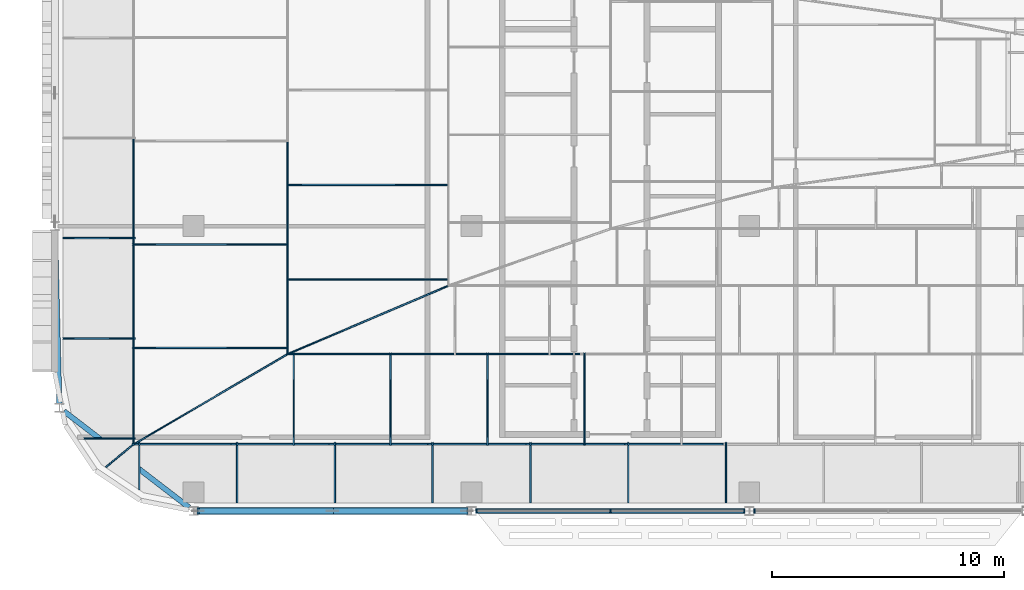
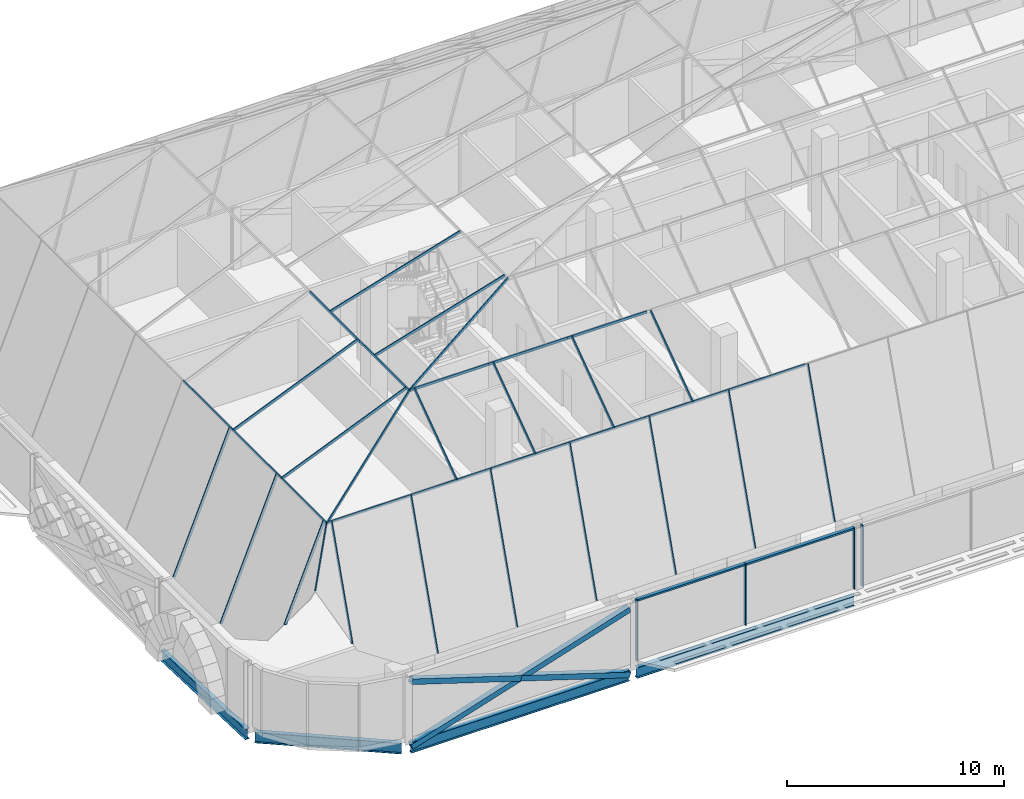
# One storey, part 5 of 39: 44 members, 4 beams, 8 elements without a shape of their own.
"""IFC4 building model written with IfcOpenShell, lengths in metres."""

from ifc_helpers import new_model, si_unit, direction, frame, origin, origin_2d, place, context, subcontext, project, spatial, rectangle, hollow_rectangle, i_section, extrude, material, material_profile, profile_set, type_object, element, aggregate, save


model = new_model("IFC4")

# Units and contexts
model_context = context("Model", 3, precision=1e-05, world=origin(), true_north=direction((0.0, 1.0)))
body_context = subcontext(model_context, "Body", "Model", "MODEL_VIEW")
ifc_project = project(units=[si_unit("LENGTHUNIT", "METRE"), si_unit("AREAUNIT", "SQUARE_METRE"), si_unit("VOLUMEUNIT", "CUBIC_METRE"), si_unit("PLANEANGLEUNIT", "RADIAN"), si_unit("MASSUNIT", "GRAM", prefix="KILO")], contexts=[model_context])

# Site, building, storey
site_placement = place(None, origin())
site = spatial("IfcSite", under=ifc_project, at=site_placement, CompositionType="ELEMENT")
building_placement = place(site_placement, origin())
building = spatial("IfcBuilding", under=site, at=building_placement, Name="Mahtab Terrace Research Tower", CompositionType="ELEMENT")
storey_placement = place(building_placement, frame((0.0, 0.0, 282.300048828125)))
storey = spatial("IfcBuildingStorey", under=building, at=storey_placement, Name="L69", CompositionType="ELEMENT", Elevation=282.300048828125)

# Curtain wall, members
ifc_material_1 = material(Name="Crown faceted glass roof")
curtain_wall_type_1 = type_object("IfcCurtainWallType", Name="Crown faceted glass roof", PredefinedType="NOTDEFINED", material=ifc_material_1)
curtain_wall_1_placement = place(storey_placement, origin())
curtain_wall_1 = element("IfcCurtainWall", 1, at=curtain_wall_1_placement, inside=storey, type_object=curtain_wall_type_1, Name="CROWN.S0", PredefinedType="NOTDEFINED")
ifc_material_2 = material(Name="Natural anodised aluminium", Category="aluminium")
ifc_material_profile_1 = material_profile(ifc_material_2, rectangle(XDim=0.06005859375, YDim=0.139892578125, at=origin_2d()), Name="MULLION 60x140")
ifc_profile_set_1 = profile_set([ifc_material_profile_1], Name="Natural anodised aluminium")
member_type_1 = type_object("IfcMemberType", Name="Crown faceted glass roof mullion", PredefinedType="MULLION", material=ifc_profile_set_1)
member_1_placement = place(storey_placement, frame((-44.34814453125, -11.327880859375, 5.45703125), z_axis=(0.0, 0.317623526494, 0.948216903149), x_axis=(-1.0, 0.0, 0.0)))
member_1 = element("IfcMember", 2, at=member_1_placement, type_object=member_type_1, Name="CWC-S1 mullion 1", PredefinedType="MULLION", context=body_context, shape_type="SweptSolid", body=[
    extrude(rectangle(XDim=0.06005859375, YDim=0.139892578125, at=origin_2d()), origin(), (0.0, 0.0, 1.0), 6.033203125),
])
member_2_placement = place(storey_placement, frame((-40.12451171875, -11.890625, 3.77783203125), z_axis=(0.0, 0.317653941865, 0.948206714392), x_axis=(-1.0, 0.0, 0.0)))
member_2 = element("IfcMember", 3, at=member_2_placement, type_object=member_type_1, Name="CWC-S1 mullion 2", PredefinedType="MULLION", context=body_context, shape_type="SweptSolid", body=[
    extrude(rectangle(XDim=0.06005859375, YDim=0.139892578125, at=origin_2d()), origin(), (0.0, 0.0, 1.0), 7.80419921875),
])
member_3_placement = place(storey_placement, frame((-35.90087890625, -11.890625, 3.77783203125), z_axis=(0.0, 0.317653941865, 0.948206714392), x_axis=(-1.0, 0.0, 0.0)))
member_3 = element("IfcMember", 4, at=member_3_placement, type_object=member_type_1, Name="CWC-S1 mullion 3", PredefinedType="MULLION", context=body_context, shape_type="SweptSolid", body=[
    extrude(rectangle(XDim=0.06005859375, YDim=0.139892578125, at=origin_2d()), origin(), (0.0, 0.0, 1.0), 7.80419921875),
])
member_4_placement = place(storey_placement, frame((-31.67724609375, -11.890625, 3.77783203125), z_axis=(0.0, 0.317653941865, 0.948206714392), x_axis=(-1.0, 0.0, 0.0)))
member_4 = element("IfcMember", 5, at=member_4_placement, type_object=member_type_1, Name="CWC-S1 mullion 4", PredefinedType="MULLION", context=body_context, shape_type="SweptSolid", body=[
    extrude(rectangle(XDim=0.06005859375, YDim=0.139892578125, at=origin_2d()), origin(), (0.0, 0.0, 1.0), 7.80419921875),
])
member_5_placement = place(storey_placement, frame((-27.45361328125, -11.890625, 3.77783203125), z_axis=(0.0, 0.317653941865, 0.948206714392), x_axis=(-1.0, 0.0, 0.0)))
member_5 = element("IfcMember", 6, at=member_5_placement, type_object=member_type_1, Name="CWC-S1 mullion 5", PredefinedType="MULLION", context=body_context, shape_type="SweptSolid", body=[
    extrude(rectangle(XDim=0.06005859375, YDim=0.139892578125, at=origin_2d()), origin(), (0.0, 0.0, 1.0), 7.80419921875),
])
member_6_placement = place(storey_placement, frame((-23.22998046875, -11.890625, 3.77783203125), z_axis=(0.0, 0.317653941865, 0.948206714392), x_axis=(-1.0, 0.0, 0.0)))
member_6 = element("IfcMember", 7, at=member_6_placement, type_object=member_type_1, Name="CWC-S1 mullion 6", PredefinedType="MULLION", context=body_context, shape_type="SweptSolid", body=[
    extrude(rectangle(XDim=0.06005859375, YDim=0.139892578125, at=origin_2d()), origin(), (0.0, 0.0, 1.0), 7.80419921875),
])
member_7_placement = place(storey_placement, frame((-19.00634765625, -11.890625, 3.77783203125), z_axis=(0.0, 0.317653941865, 0.948206714392), x_axis=(-1.0, 0.0, 0.0)))
member_7 = element("IfcMember", 8, at=member_7_placement, type_object=member_type_1, Name="CWC-S1 mullion 7", PredefinedType="MULLION", context=body_context, shape_type="SweptSolid", body=[
    extrude(rectangle(XDim=0.06005859375, YDim=0.139892578125, at=origin_2d()), origin(), (0.0, 0.0, 1.0), 7.80419921875),
])

curtain_wall_2_placement = place(storey_placement, origin())
curtain_wall_2 = element("IfcCurtainWall", 9, at=curtain_wall_2_placement, inside=storey, type_object=curtain_wall_type_1, Name="CROWN.S1", PredefinedType="NOTDEFINED")
member_8_placement = place(storey_placement, frame((-37.677001953125, -9.437255859375, 11.14306640625), z_axis=(0.0, 0.813260115318, 0.581900322077), x_axis=(-1.0, 0.0, 0.0)))
member_8 = element("IfcMember", 10, at=member_8_placement, type_object=member_type_1, Name="CWC-S2 mullion 1", PredefinedType="MULLION", context=body_context, shape_type="SweptSolid", body=[
    extrude(rectangle(XDim=0.06005859375, YDim=0.139892578125, at=origin_2d()), origin(), (0.0, 0.0, 1.0), 4.81201171875),
])
member_9_placement = place(storey_placement, frame((-33.49072265625, -9.437255859375, 11.14306640625), z_axis=(0.0, 0.813260115318, 0.581900322077), x_axis=(-1.0, 0.0, 0.0)))
member_9 = element("IfcMember", 11, at=member_9_placement, type_object=member_type_1, Name="CWC-S2 mullion 2", PredefinedType="MULLION", context=body_context, shape_type="SweptSolid", body=[
    extrude(rectangle(XDim=0.06005859375, YDim=0.139892578125, at=origin_2d()), origin(), (0.0, 0.0, 1.0), 4.81201171875),
])
member_10_placement = place(storey_placement, frame((-29.304443359375, -9.437255859375, 11.14306640625), z_axis=(0.0, 0.813260115318, 0.581900322077), x_axis=(-1.0, 0.0, 0.0)))
member_10 = element("IfcMember", 12, at=member_10_placement, type_object=member_type_1, Name="CWC-S2 mullion 3", PredefinedType="MULLION", context=body_context, shape_type="SweptSolid", body=[
    extrude(rectangle(XDim=0.06005859375, YDim=0.139892578125, at=origin_2d()), origin(), (0.0, 0.0, 1.0), 4.81201171875),
])
member_11_placement = place(storey_placement, frame((-25.117919921875, -9.437255859375, 11.14306640625), z_axis=(0.0, 0.813260115318, 0.581900322077), x_axis=(-1.0, 0.0, 0.0)))
member_11 = element("IfcMember", 13, at=member_11_placement, type_object=member_type_1, Name="CWC-S2 mullion 4", PredefinedType="MULLION", context=body_context, shape_type="SweptSolid", body=[
    extrude(rectangle(XDim=0.06005859375, YDim=0.139892578125, at=origin_2d()), origin(), (0.0, 0.0, 1.0), 4.81201171875),
])

curtain_wall_3_placement = place(storey_placement, origin())
curtain_wall_3 = element("IfcCurtainWall", 14, at=curtain_wall_3_placement, inside=storey, type_object=curtain_wall_type_1, Name="CROWN.W0", PredefinedType="NOTDEFINED")
member_12_placement = place(storey_placement, frame((-46.67333984375, -9.177978515625, 6.021240234375), z_axis=(0.375905886307, 0.0, 0.926657846586), x_axis=(0.0, 1.0, 0.0)))
member_12 = element("IfcMember", 15, at=member_12_placement, type_object=member_type_1, Name="CWC-W1 mullion 1", PredefinedType="MULLION", context=body_context, shape_type="SweptSolid", body=[
    extrude(rectangle(XDim=0.06005859375, YDim=0.139892578125, at=origin_2d()), origin(), (0.0, 0.0, 1.0), 5.56005859375),
])
member_13_placement = place(storey_placement, frame((-47.585205078125, -4.851318359375, 3.773681640625), z_axis=(0.375919413042, 0.0, 0.926652359247), x_axis=(0.0, 1.0, 0.0)))
member_13 = element("IfcMember", 16, at=member_13_placement, type_object=member_type_1, Name="CWC-W1 mullion 2", PredefinedType="MULLION", context=body_context, shape_type="SweptSolid", body=[
    extrude(rectangle(XDim=0.06005859375, YDim=0.139892578125, at=origin_2d()), origin(), (0.0, 0.0, 1.0), 7.985595703125),
])
member_14_placement = place(storey_placement, frame((-47.585205078125, -0.52490234375, 3.773681640625), z_axis=(0.375919413042, 0.0, 0.926652359247), x_axis=(0.0, 1.0, 0.0)))
member_14 = element("IfcMember", 17, at=member_14_placement, type_object=member_type_1, Name="CWC-W1 mullion 3", PredefinedType="MULLION", context=body_context, shape_type="SweptSolid", body=[
    extrude(rectangle(XDim=0.06005859375, YDim=0.139892578125, at=origin_2d()), origin(), (0.0, 0.0, 1.0), 7.985595703125),
])
aggregate(curtain_wall_3, [member_12, member_13, member_14])

curtain_wall_4_placement = place(storey_placement, origin())
curtain_wall_4 = element("IfcCurtainWall", 18, at=curtain_wall_4_placement, inside=storey, type_object=curtain_wall_type_1, Name="CROWN.W1", PredefinedType="NOTDEFINED")
member_15_placement = place(storey_placement, frame((-44.62109375, -5.264892578125, 11.135498046875), z_axis=(0.922072437217, 0.0, 0.38701733879), x_axis=(0.0, 1.0, 0.0)))
member_15 = element("IfcMember", 19, at=member_15_placement, type_object=member_type_1, Name="CWC-W2 mullion 1", PredefinedType="MULLION", context=body_context, shape_type="SweptSolid", body=[
    extrude(rectangle(XDim=0.06005859375, YDim=0.139892578125, at=origin_2d()), origin(), (0.0, 0.0, 1.0), 7.23486328125),
])
member_16_placement = place(storey_placement, frame((-44.62109375, -0.794921875, 11.135498046875), z_axis=(0.922072437217, 0.0, 0.38701733879), x_axis=(0.0, 1.0, 0.0)))
member_16 = element("IfcMember", 20, at=member_16_placement, type_object=member_type_1, Name="CWC-W2 mullion 2", PredefinedType="MULLION", context=body_context, shape_type="SweptSolid", body=[
    extrude(rectangle(XDim=0.06005859375, YDim=0.139892578125, at=origin_2d()), origin(), (0.0, 0.0, 1.0), 7.23486328125),
])

curtain_wall_5_placement = place(storey_placement, origin())
curtain_wall_5 = element("IfcCurtainWall", 21, at=curtain_wall_5_placement, inside=storey, type_object=curtain_wall_type_1, Name="CROWN.W2", PredefinedType="NOTDEFINED")
member_17_placement = place(storey_placement, frame((-37.956787109375, -2.3076171875, 13.932861328125), z_axis=(0.957330166086, 0.0, 0.28899645863), x_axis=(0.0, 1.0, 0.0)))
member_17 = element("IfcMember", 22, at=member_17_placement, type_object=member_type_1, Name="CWC-W3 mullion 1", PredefinedType="MULLION", context=body_context, shape_type="SweptSolid", body=[
    extrude(rectangle(XDim=0.06005859375, YDim=0.139892578125, at=origin_2d()), origin(), (0.0, 0.0, 1.0), 7.266845703125),
])
member_18_placement = place(storey_placement, frame((-37.956787109375, 1.780029296875, 13.932861328125), z_axis=(0.957330166086, 0.0, 0.28899645863), x_axis=(0.0, 1.0, 0.0)))
member_18 = element("IfcMember", 23, at=member_18_placement, type_object=member_type_1, Name="CWC-W3 mullion 2", PredefinedType="MULLION", context=body_context, shape_type="SweptSolid", body=[
    extrude(rectangle(XDim=0.06005859375, YDim=0.139892578125, at=origin_2d()), origin(), (0.0, 0.0, 1.0), 7.266845703125),
])

# Member
member_19_placement = place(storey_placement, frame((-45.753662109375, -10.382568359375, 8.3349609375), z_axis=(0.358973579916, 0.296500277334, 0.885000313256), x_axis=(-0.636826404197, 0.77100721846, 0.0)))
member_19 = element("IfcMember", 24, at=member_19_placement, type_object=member_type_1, Name="CWC hip SW 1", PredefinedType="MULLION", context=body_context, shape_type="SweptSolid", body=[
    extrude(rectangle(XDim=0.06005859375, YDim=0.139892578125, at=origin_2d()), origin(), (0.0, 0.0, 1.0), 3.20068359375),
])

aggregate(curtain_wall_1, [member_1, member_2, member_3, member_4, member_5, member_6, member_7, member_19])

member_20_placement = place(storey_placement, frame((-44.633544921875, -9.456298828125, 11.135009765625), z_axis=(0.811023389188, 0.475768332063, 0.340419676863), x_axis=(-0.505989248089, 0.862539785064, 0.0)))
member_20 = element("IfcMember", 25, at=member_20_placement, type_object=member_type_1, Name="CWC hip SW 2", PredefinedType="MULLION", context=body_context, shape_type="SweptSolid", body=[
    extrude(rectangle(XDim=0.06005859375, YDim=0.139892578125, at=origin_2d()), origin(), (0.0, 0.0, 1.0), 8.225341796875),
])

# Curtain wall, member
curtain_wall_6_placement = place(storey_placement, origin())
curtain_wall_6 = element("IfcCurtainWall", 26, at=curtain_wall_6_placement, inside=storey, type_object=curtain_wall_type_1, Name="CROWN.S2", PredefinedType="NOTDEFINED")
member_21_placement = place(storey_placement, frame((-37.96630859375, -5.543212890625, 13.93408203125), z_axis=(0.886727116322, 0.376909592311, 0.267682984896), x_axis=(-0.391185093579, 0.920312024566, 0.0)))
member_21 = element("IfcMember", 27, at=member_21_placement, type_object=member_type_1, Name="CWC hip SW 3", PredefinedType="MULLION", context=body_context, shape_type="SweptSolid", body=[
    extrude(rectangle(XDim=0.06005859375, YDim=0.139892578125, at=origin_2d()), origin(), (0.0, 0.0, 1.0), 7.845458984375),
])

# Member
ifc_material_profile_2 = material_profile(ifc_material_2, rectangle(XDim=0.06005859375, YDim=0.139892578125, at=origin_2d()), Name="TRANSOM 60x140")
ifc_profile_set_2 = profile_set([ifc_material_profile_2], Name="Natural anodised aluminium")
member_type_2 = type_object("IfcMemberType", Name="Crown faceted glass roof transom", PredefinedType="USERDEFINED", material=ifc_profile_set_2)
member_22_placement = place(storey_placement, frame((-44.64794921875, -9.421630859375, 11.158447265625), z_axis=(1.0, 0.0, 0.0), x_axis=(0.0, 1.0, 0.0)))
member_22 = element("IfcMember", 28, at=member_22_placement, type_object=member_type_2, Name="CWC-S2 transom 1", ObjectType="TRANSOM", PredefinedType="USERDEFINED", context=body_context, shape_type="SweptSolid", body=[
    extrude(rectangle(XDim=0.06005859375, YDim=0.139892578125, at=origin_2d()), origin(), (0.0, 0.0, 1.0), 4.251953125),
])

member_23_placement = place(storey_placement, frame((-40.39599609375, -9.421630859375, 11.158447265625), z_axis=(1.0, 0.0, 0.0), x_axis=(0.0, 1.0, 0.0)))
member_23 = element("IfcMember", 29, at=member_23_placement, type_object=member_type_2, Name="CWC-S2 transom 2", ObjectType="TRANSOM", PredefinedType="USERDEFINED", context=body_context, shape_type="SweptSolid", body=[
    extrude(rectangle(XDim=0.06005859375, YDim=0.139892578125, at=origin_2d()), origin(), (0.0, 0.0, 1.0), 4.252197265625),
])

member_24_placement = place(storey_placement, frame((-36.143798828125, -9.421630859375, 11.158447265625), z_axis=(1.0, 0.0, 0.0), x_axis=(0.0, 1.0, 0.0)))
member_24 = element("IfcMember", 30, at=member_24_placement, type_object=member_type_2, Name="CWC-S2 transom 3", ObjectType="TRANSOM", PredefinedType="USERDEFINED", context=body_context, shape_type="SweptSolid", body=[
    extrude(rectangle(XDim=0.06005859375, YDim=0.139892578125, at=origin_2d()), origin(), (0.0, 0.0, 1.0), 4.252197265625),
])

member_25_placement = place(storey_placement, frame((-31.8916015625, -9.421630859375, 11.158447265625), z_axis=(1.0, 0.0, 0.0), x_axis=(0.0, 1.0, 0.0)))
member_25 = element("IfcMember", 31, at=member_25_placement, type_object=member_type_2, Name="CWC-S2 transom 4", ObjectType="TRANSOM", PredefinedType="USERDEFINED", context=body_context, shape_type="SweptSolid", body=[
    extrude(rectangle(XDim=0.06005859375, YDim=0.139892578125, at=origin_2d()), origin(), (0.0, 0.0, 1.0), 4.252197265625),
])

member_26_placement = place(storey_placement, frame((-27.639404296875, -9.421630859375, 11.158447265625), z_axis=(1.0, 0.0, 0.0), x_axis=(0.0, 1.0, 0.0)))
member_26 = element("IfcMember", 32, at=member_26_placement, type_object=member_type_2, Name="CWC-S2 transom 5", ObjectType="TRANSOM", PredefinedType="USERDEFINED", context=body_context, shape_type="SweptSolid", body=[
    extrude(rectangle(XDim=0.06005859375, YDim=0.139892578125, at=origin_2d()), origin(), (0.0, 0.0, 1.0), 4.252197265625),
])

member_27_placement = place(storey_placement, frame((-23.38720703125, -9.421630859375, 11.158447265625), z_axis=(1.0, 0.0, 0.0), x_axis=(0.0, 1.0, 0.0)))
member_27 = element("IfcMember", 33, at=member_27_placement, type_object=member_type_2, Name="CWC-S2 transom 6", ObjectType="TRANSOM", PredefinedType="USERDEFINED", context=body_context, shape_type="SweptSolid", body=[
    extrude(rectangle(XDim=0.06005859375, YDim=0.139892578125, at=origin_2d()), origin(), (0.0, 0.0, 1.0), 4.252197265625),
])

aggregate(curtain_wall_2, [member_8, member_9, member_10, member_11, member_22, member_23, member_24, member_25, member_26, member_27, member_20])

member_28_placement = place(storey_placement, frame((-37.97705078125, -5.524169921875, 13.94287109375), z_axis=(1.0, 0.0, 0.0), x_axis=(0.0, 1.0, 0.0)))
member_28 = element("IfcMember", 34, at=member_28_placement, type_object=member_type_2, Name="CWC-S3 transom 1", ObjectType="TRANSOM", PredefinedType="USERDEFINED", context=body_context, shape_type="SweptSolid", body=[
    extrude(rectangle(XDim=0.06005859375, YDim=0.139892578125, at=origin_2d()), origin(), (0.0, 0.0, 1.0), 4.2197265625),
])

member_29_placement = place(storey_placement, frame((-33.75732421875, -5.524169921875, 13.94287109375), z_axis=(1.0, 0.0, 0.0), x_axis=(0.0, 1.0, 0.0)))
member_29 = element("IfcMember", 35, at=member_29_placement, type_object=member_type_2, Name="CWC-S3 transom 2", ObjectType="TRANSOM", PredefinedType="USERDEFINED", context=body_context, shape_type="SweptSolid", body=[
    extrude(rectangle(XDim=0.06005859375, YDim=0.139892578125, at=origin_2d()), origin(), (0.0, 0.0, 1.0), 4.2197265625),
])

member_30_placement = place(storey_placement, frame((-29.53759765625, -5.524169921875, 13.94287109375), z_axis=(1.0, 0.0, 0.0), x_axis=(0.0, 1.0, 0.0)))
member_30 = element("IfcMember", 36, at=member_30_placement, type_object=member_type_2, Name="CWC-S3 transom 3", ObjectType="TRANSOM", PredefinedType="USERDEFINED", context=body_context, shape_type="SweptSolid", body=[
    extrude(rectangle(XDim=0.06005859375, YDim=0.139892578125, at=origin_2d()), origin(), (0.0, 0.0, 1.0), 4.219482421875),
])

aggregate(curtain_wall_6, [member_28, member_29, member_30, member_21])

member_31_placement = place(storey_placement, frame((-44.598388671875, -9.47802734375, 11.150634765625), z_axis=(0.0, 1.0, 0.0), x_axis=(-1.0, 0.0, 0.0)))
member_31 = element("IfcMember", 37, at=member_31_placement, type_object=member_type_2, Name="CWC-W2 transom 1", ObjectType="TRANSOM", PredefinedType="USERDEFINED", context=body_context, shape_type="SweptSolid", body=[
    extrude(rectangle(XDim=0.06005859375, YDim=0.139892578125, at=origin_2d()), origin(), (0.0, 0.0, 1.0), 4.412353515625),
])

member_32_placement = place(storey_placement, frame((-44.598388671875, -5.065673828125, 11.150634765625), z_axis=(0.0, 1.0, 0.0), x_axis=(-1.0, 0.0, 0.0)))
member_32 = element("IfcMember", 38, at=member_32_placement, type_object=member_type_2, Name="CWC-W2 transom 2", ObjectType="TRANSOM", PredefinedType="USERDEFINED", context=body_context, shape_type="SweptSolid", body=[
    extrude(rectangle(XDim=0.06005859375, YDim=0.139892578125, at=origin_2d()), origin(), (0.0, 0.0, 1.0), 4.412353515625),
])

member_33_placement = place(storey_placement, frame((-44.598388671875, -0.6533203125, 11.150634765625), z_axis=(0.0, 1.0, 0.0), x_axis=(-1.0, 0.0, 0.0)))
member_33 = element("IfcMember", 39, at=member_33_placement, type_object=member_type_2, Name="CWC-W2 transom 3", ObjectType="TRANSOM", PredefinedType="USERDEFINED", context=body_context, shape_type="SweptSolid", body=[
    extrude(rectangle(XDim=0.06005859375, YDim=0.139892578125, at=origin_2d()), origin(), (0.0, 0.0, 1.0), 4.412109375),
])

aggregate(curtain_wall_4, [member_15, member_16, member_31, member_32, member_33])

member_34_placement = place(storey_placement, frame((-37.953369140625, -5.564697265625, 13.93408203125), z_axis=(0.0, 1.0, 0.0), x_axis=(-1.0, 0.0, 0.0)))
member_34 = element("IfcMember", 40, at=member_34_placement, type_object=member_type_2, Name="CWC-W3 transom 1", ObjectType="TRANSOM", PredefinedType="USERDEFINED", context=body_context, shape_type="SweptSolid", body=[
    extrude(rectangle(XDim=0.06005859375, YDim=0.139892578125, at=origin_2d()), origin(), (0.0, 0.0, 1.0), 4.589599609375),
])

member_35_placement = place(storey_placement, frame((-37.953369140625, -0.97509765625, 13.93408203125), z_axis=(0.0, 1.0, 0.0), x_axis=(-1.0, 0.0, 0.0)))
member_35 = element("IfcMember", 41, at=member_35_placement, type_object=member_type_2, Name="CWC-W3 transom 2", ObjectType="TRANSOM", PredefinedType="USERDEFINED", context=body_context, shape_type="SweptSolid", body=[
    extrude(rectangle(XDim=0.06005859375, YDim=0.139892578125, at=origin_2d()), origin(), (0.0, 0.0, 1.0), 4.58984375),
])

aggregate(curtain_wall_5, [member_17, member_18, member_34, member_35])

# Members
ifc_material_3 = material(Name="Steel ASTM A500 Gr C", Category="steel")
ifc_material_profile_3 = material_profile(ifc_material_3, hollow_rectangle(XDim=0.3046875, YDim=0.3046875, WallThickness=0.015869140625, at=origin_2d()), Name="HSS12X12X5/8")
ifc_profile_set_3 = profile_set([ifc_material_profile_3], Name="Steel ASTM A500 Gr C")
member_type_3 = type_object("IfcMemberType", Name="HSS 12x12x5/8 brace XB121258", PredefinedType="BRACE", material=ifc_profile_set_3)
member_36_placement = place(storey_placement, frame((-41.80322265625, -12.306884765625, -0.581298828125), z_axis=(0.953344149173, 0.0, 0.301885629399), x_axis=(0.0, 1.0, 0.0)))
element("IfcMember", 42, at=member_36_placement, inside=storey, type_object=member_type_3, Name="Exoskeleton brace L69 14 a", PredefinedType="BRACE", context=body_context, shape_type="SweptSolid", body=[
    extrude(hollow_rectangle(XDim=0.3046875, YDim=0.3046875, WallThickness=0.015869140625, at=origin_2d()), origin(), (0.0, 0.0, 1.0), 12.174560546875),
])
for number, where, z_axis, x_axis, name in (
    (43, (-30.19677734375, -12.306884765625, -0.581298828125), (-0.953344149173, 0.0, 0.301885629399), (0.0, -1.0, 0.0), "Exoskeleton brace L69 14 b1"),
    (44, (-36.0, -12.306884765625, 1.25634765625), (-0.953344149173, 0.0, 0.301885629399), (0.0, -1.0, 0.0), "Exoskeleton brace L69 14 b2"),
):
    element("IfcMember", number, at=place(storey_placement, frame(where, z_axis=z_axis, x_axis=x_axis)), inside=storey, type_object=member_type_3, Name=name, PredefinedType="BRACE", context=body_context, shape_type="SweptSolid", body=[
        extrude(hollow_rectangle(XDim=0.3046875, YDim=0.3046875, WallThickness=0.015869140625, at=origin_2d()), origin(), (0.0, 0.0, 1.0), 6.087158203125),
    ])

# Curtain wall, members
ifc_material_4 = material(Name="Office ribbon curtain wall")
curtain_wall_type_2 = type_object("IfcCurtainWallType", Name="Office ribbon curtain wall", PredefinedType="NOTDEFINED", material=ifc_material_4)
curtain_wall_7_placement = place(storey_placement, origin())
curtain_wall_7 = element("IfcCurtainWall", 45, at=curtain_wall_7_placement, inside=storey, type_object=curtain_wall_type_2, Name="EN.L69.13.24", PredefinedType="NOTDEFINED")
ifc_material_profile_4 = material_profile(ifc_material_2, rectangle(XDim=0.179931640625, YDim=0.06005859375, at=origin_2d()), Name="MULLION 60x180")
ifc_profile_set_4 = profile_set([ifc_material_profile_4], Name="Natural anodised aluminium")
member_type_4 = type_object("IfcMemberType", Name="Office ribbon curtain wall mullion", PredefinedType="MULLION", material=ifc_profile_set_4)
member_37_placement = place(storey_placement, frame((-29.781982421875, -12.306884765625, 0.0), z_axis=(0.0, 0.0, 1.0), x_axis=(0.0, 1.0, 0.0)))
member_37 = element("IfcMember", 46, at=member_37_placement, type_object=member_type_4, Name="CWO-8 mullion 1", PredefinedType="MULLION", context=body_context, shape_type="SweptSolid", body=[
    extrude(rectangle(XDim=0.179931640625, YDim=0.06005859375, at=origin_2d()), origin(), (0.0, 0.0, 1.0), 3.4599609375),
])
member_38_placement = place(storey_placement, frame((-24.0, -12.306884765625, 0.0), z_axis=(0.0, 0.0, 1.0), x_axis=(0.0, 1.0, 0.0)))
member_38 = element("IfcMember", 47, at=member_38_placement, type_object=member_type_4, Name="CWO-8 mullion 2", PredefinedType="MULLION", context=body_context, shape_type="SweptSolid", body=[
    extrude(rectangle(XDim=0.179931640625, YDim=0.06005859375, at=origin_2d()), origin(), (0.0, 0.0, 1.0), 3.4599609375),
])
member_39_placement = place(storey_placement, frame((-18.218017578125, -12.306884765625, 0.0), z_axis=(0.0, 0.0, 1.0), x_axis=(0.0, 1.0, 0.0)))
member_39 = element("IfcMember", 48, at=member_39_placement, type_object=member_type_4, Name="CWO-8 mullion 3", PredefinedType="MULLION", context=body_context, shape_type="SweptSolid", body=[
    extrude(rectangle(XDim=0.179931640625, YDim=0.06005859375, at=origin_2d()), origin(), (0.0, 0.0, 1.0), 3.4599609375),
])

# Curtain wall, member
curtain_wall_8_placement = place(storey_placement, origin())
curtain_wall_8 = element("IfcCurtainWall", 49, at=curtain_wall_8_placement, inside=storey, type_object=curtain_wall_type_2, Name="EN.L69.13.25", PredefinedType="NOTDEFINED")
member_40_placement = place(storey_placement, frame((-17.781982421875, -12.306884765625, 0.0), z_axis=(0.0, 0.0, 1.0), x_axis=(0.0, 1.0, 0.0)))
member_40 = element("IfcMember", 50, at=member_40_placement, type_object=member_type_4, Name="CWO-8 mullion 1", PredefinedType="MULLION", context=body_context, shape_type="SweptSolid", body=[
    extrude(rectangle(XDim=0.179931640625, YDim=0.06005859375, at=origin_2d()), origin(), (0.0, 0.0, 1.0), 3.4599609375),
])
aggregate(curtain_wall_8, [member_40])

# Member
ifc_material_profile_5 = material_profile(ifc_material_2, rectangle(XDim=0.179931640625, YDim=0.10009765625, at=origin_2d()), Name="TRANSOM 100x180")
ifc_profile_set_5 = profile_set([ifc_material_profile_5], Name="Natural anodised aluminium")
member_type_5 = type_object("IfcMemberType", Name="Office ribbon curtain wall transom", PredefinedType="USERDEFINED", material=ifc_profile_set_5)
member_41_placement = place(storey_placement, frame((-29.751953125, -12.306884765625, 3.409912109375), z_axis=(1.0, 0.0, 0.0), x_axis=(0.0, 1.0, 0.0)))
member_41 = element("IfcMember", 51, at=member_41_placement, type_object=member_type_5, Name="CWO-8 transom 1", ObjectType="TRANSOM", PredefinedType="USERDEFINED", context=body_context, shape_type="SweptSolid", body=[
    extrude(rectangle(XDim=0.179931640625, YDim=0.10009765625, at=origin_2d()), origin(), (0.0, 0.0, 1.0), 5.721923828125),
])

member_42_placement = place(storey_placement, frame((-23.969970703125, -12.306884765625, 3.409912109375), z_axis=(1.0, 0.0, 0.0), x_axis=(0.0, 1.0, 0.0)))
member_42 = element("IfcMember", 52, at=member_42_placement, type_object=member_type_5, Name="CWO-8 transom 2", ObjectType="TRANSOM", PredefinedType="USERDEFINED", context=body_context, shape_type="SweptSolid", body=[
    extrude(rectangle(XDim=0.179931640625, YDim=0.10009765625, at=origin_2d()), origin(), (0.0, 0.0, 1.0), 5.721923828125),
])

aggregate(curtain_wall_7, [member_37, member_38, member_39, member_41, member_42])

# Beams
ifc_material_5 = material(Name="Steel ASTM A992 Gr 50", Category="steel")
ifc_material_profile_6 = material_profile(ifc_material_5, i_section(OverallWidth=0.228271484375, OverallDepth=0.607177734375, WebThickness=0.01123046875, FlangeThickness=0.017333984375, at=origin_2d()), Name="W24X76")
ifc_profile_set_6 = profile_set([ifc_material_profile_6], Name="Steel ASTM A992 Gr 50")
beam_type = type_object("IfcBeamType", Name="W24x76 beam BS2476", PredefinedType="BEAM", material=ifc_profile_set_6)
beam_1_placement = place(storey_placement, frame((-47.9951171875, -0.18798828125, -0.6435546875), z_axis=(0.025738056343, -0.999668721355, 0.0), x_axis=(0.999668721355, 0.025738056343, 0.0)))
element("IfcBeam", 53, at=beam_1_placement, inside=storey, type_object=beam_type, Name="Spandrel beam L69 12", PredefinedType="BEAM", context=body_context, shape_type="SweptSolid", body=[
    extrude(i_section(OverallWidth=0.228271484375, OverallDepth=0.607177734375, WebThickness=0.01123046875, FlangeThickness=0.017333984375, at=origin_2d()), origin(), (0.0, 0.0, 1.0), 7.474609375),
])
beam_2_placement = place(storey_placement, frame((-47.60107421875, -7.999267578125, -0.6435546875), z_axis=(0.792687883453, -0.60962768919, 0.0), x_axis=(0.60962768919, 0.792687883453, 0.0)))
element("IfcBeam", 54, at=beam_2_placement, inside=storey, type_object=beam_type, Name="Spandrel beam L69 13", PredefinedType="BEAM", context=body_context, shape_type="SweptSolid", body=[
    extrude(i_section(OverallWidth=0.228271484375, OverallDepth=0.607177734375, WebThickness=0.01123046875, FlangeThickness=0.017333984375, at=origin_2d()), origin(), (0.0, 0.0, 1.0), 6.817626953125),
])
for number, where, z_axis, x_axis, name in (
    (55, (-41.80322265625, -12.306884765625, -0.6435546875), (1.0, 0.0, 0.0), (0.0, 1.0, 0.0), "Spandrel beam L69 14"),
    (56, (-29.80322265625, -12.306884765625, -0.6435546875), (1.0, 0.0, 0.0), (0.0, 1.0, 0.0), "Spandrel beam L69 15"),
):
    element("IfcBeam", number, at=place(storey_placement, frame(where, z_axis=z_axis, x_axis=x_axis)), inside=storey, type_object=beam_type, Name=name, PredefinedType="BEAM", context=body_context, shape_type="SweptSolid", body=[
        extrude(i_section(OverallWidth=0.228271484375, OverallDepth=0.607177734375, WebThickness=0.01123046875, FlangeThickness=0.017333984375, at=origin_2d()), origin(), (0.0, 0.0, 1.0), 11.6064453125),
    ])

save(model, "model.ifc")
